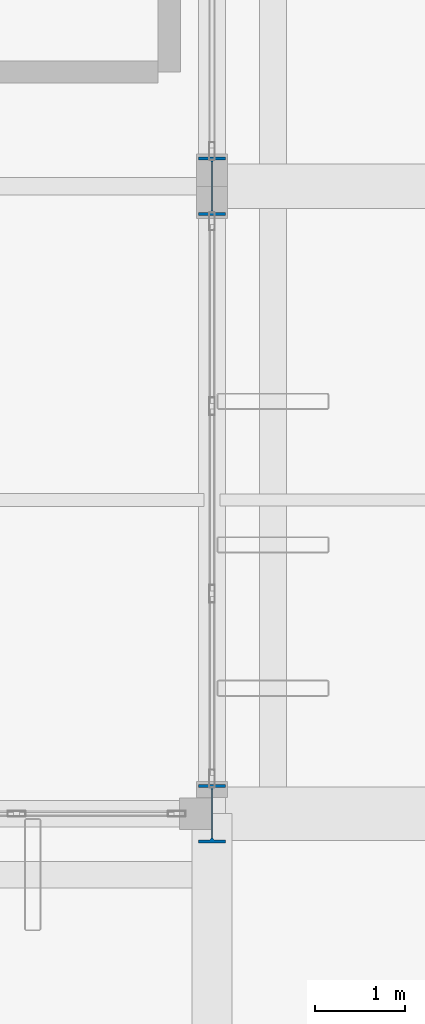
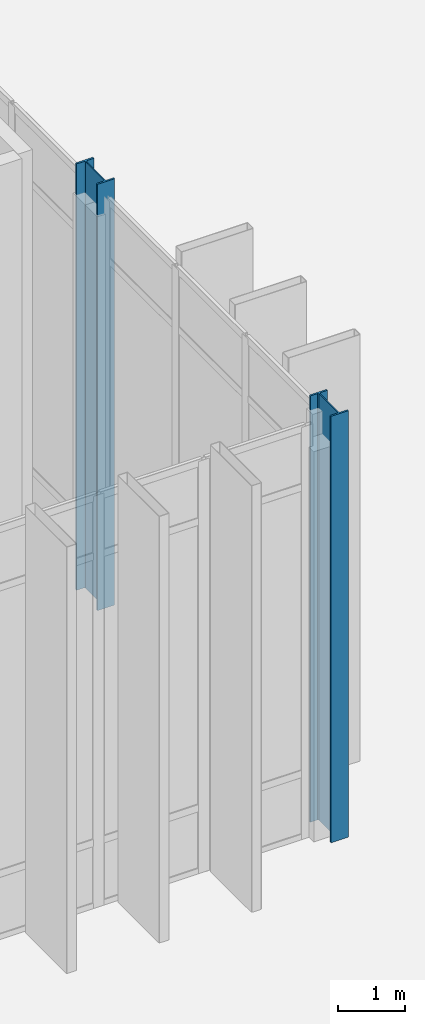
# One storey, part 16 of 176: 2 columns.
"""IFC4 building model written with IfcOpenShell, lengths in metres."""

from ifc_helpers import new_model, si_unit, direction, frame, origin, origin_2d, place, context, subcontext, project, spatial, i_section, extrude, material, material_profile, profile_set, type_object, element, save


model = new_model("IFC4")

# Units and contexts
model_context = context("Model", 3, precision=1e-05, world=origin(), true_north=direction((0.0, 1.0)))
body_context = subcontext(model_context, "Body", "Model", "MODEL_VIEW")
ifc_project = project(units=[si_unit("LENGTHUNIT", "METRE"), si_unit("AREAUNIT", "SQUARE_METRE"), si_unit("VOLUMEUNIT", "CUBIC_METRE"), si_unit("PLANEANGLEUNIT", "RADIAN"), si_unit("MASSUNIT", "GRAM", prefix="KILO")], contexts=[model_context])

# Site, building, storey
site_placement = place(None, origin())
site = spatial("IfcSite", under=ifc_project, at=site_placement, CompositionType="ELEMENT")
building_placement = place(site_placement, origin())
building = spatial("IfcBuilding", under=site, at=building_placement, Name="Vekula Escarpment Museum", CompositionType="ELEMENT")
storey_placement = place(building_placement, origin())
storey = spatial("IfcBuildingStorey", under=building, at=storey_placement, Name="L01", CompositionType="ELEMENT", Elevation=0.0)

# Columns
ifc_material = material(Name="Steel S355", Category="steel")
ifc_material_profile = material_profile(ifc_material, i_section(OverallWidth=0.300048828125, OverallDepth=0.64990234375, WebThickness=0.01611328125, FlangeThickness=0.031005859375, FilletRadius=0.027099609375, at=origin_2d()), Name="HEB 650")
ifc_profile_set = profile_set([ifc_material_profile], Name="Steel S355")
column_type = type_object("IfcColumnType", Name="COL-S-HEB650", PredefinedType="COLUMN", material=ifc_profile_set)
for number, where, z_axis, x_axis, name in (
    (1, (126.0, 45.60009765625, 0.0), (0.0, 0.0, 1.0), (1.0, 0.0, 0.0), "Column L01 (126.0,45.6)"),
    (2, (126.0, 52.60009765625, 0.0), (0.0, 0.0, 1.0), (1.0, 0.0, 0.0), "Column L01 (126.0,52.6)"),
):
    element("IfcColumn", number, at=place(storey_placement, frame(where, z_axis=z_axis, x_axis=x_axis)), inside=storey, type_object=column_type, Name=name, PredefinedType="COLUMN", context=body_context, shape_type="SweptSolid", body=[
        extrude(i_section(OverallWidth=0.300048828125, OverallDepth=0.64990234375, WebThickness=0.01611328125, FlangeThickness=0.031005859375, FilletRadius=0.027099609375, at=origin_2d()), origin(), (0.0, 0.0, 1.0), 7.800048828125),
    ])

save(model, "model.ifc")
